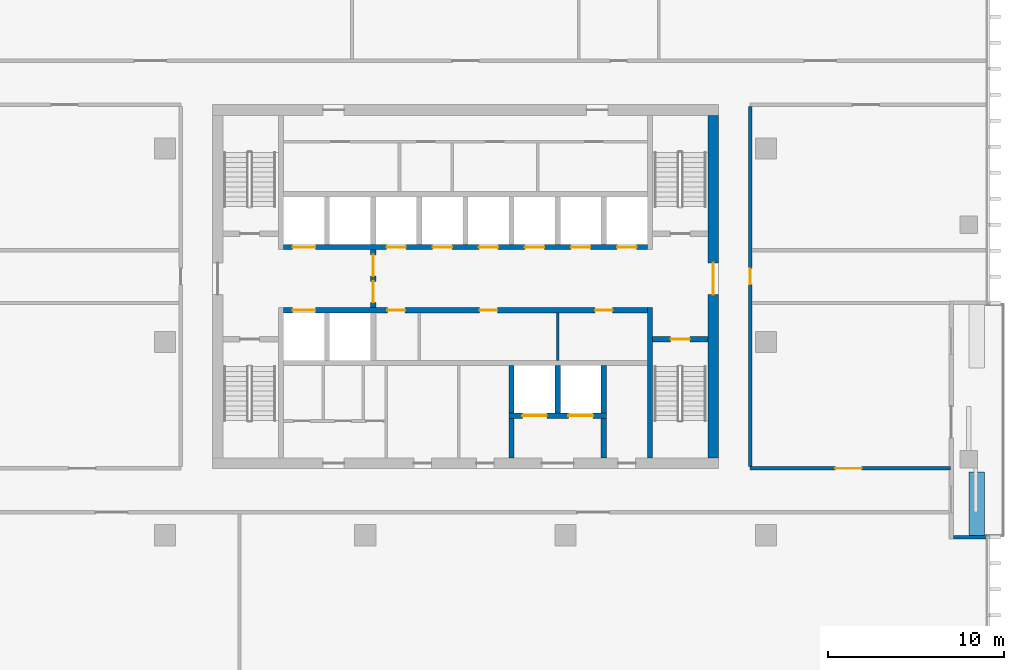
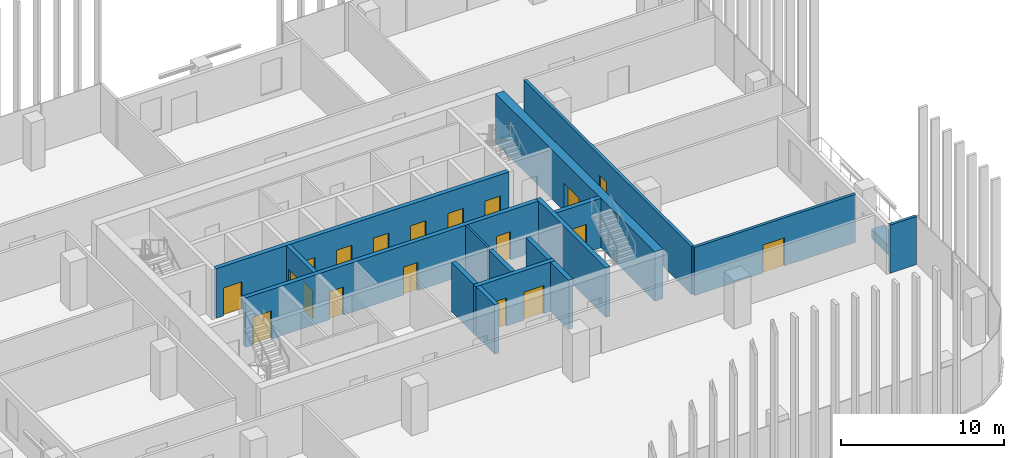
# One storey, part 8 of 16: 19 doors, 17 walls, 19 openings.
"""IFC4 building model written with IfcOpenShell, lengths in metres."""

from ifc_helpers import new_model, si_unit, direction, frame, frame_2d, origin, place, context, subcontext, project, spatial, rectangle, extrude, material, layer, layer_set, type_object, element, fill, save


model = new_model("IFC4")

# Units and contexts
model_context = context("Model", 3, precision=1e-05, world=origin(), true_north=direction((0.0, 1.0)))
body_context = subcontext(model_context, "Body", "Model", "MODEL_VIEW")
ifc_project = project(units=[si_unit("LENGTHUNIT", "METRE"), si_unit("AREAUNIT", "SQUARE_METRE"), si_unit("VOLUMEUNIT", "CUBIC_METRE"), si_unit("PLANEANGLEUNIT", "RADIAN"), si_unit("MASSUNIT", "GRAM", prefix="KILO")], contexts=[model_context])

# Site, building, storey
site_placement = place(None, origin())
site = spatial("IfcSite", under=ifc_project, at=site_placement, CompositionType="ELEMENT")
building_placement = place(site_placement, origin())
building = spatial("IfcBuilding", under=site, at=building_placement, Name="Mopane Tessera Tower", CompositionType="ELEMENT")
storey_placement = place(building_placement, frame((0.0, 0.0, 279.39990234375)))
storey = spatial("IfcBuildingStorey", under=building, at=storey_placement, Name="L60", CompositionType="ELEMENT", Elevation=279.39990234375)

# Wall
ifc_material_1 = material(Name="Fire-rated gypsum board partition")
ifc_layer_1 = layer(ifc_material_1, 0.14990234375)
ifc_layer_set_1 = layer_set([ifc_layer_1], Name="Fire-rated gypsum board partition")
wall_type_1 = type_object("IfcWallType", Name="Core room partition 150 mm", PredefinedType="PARTITIONING", material=ifc_layer_set_1)
wall_1_placement = place(storey_placement, frame((5.25, -1.050048828125, 0.0), z_axis=(0.0, 0.0, 1.0), x_axis=(0.0, 1.0, 0.0)))
element("IfcWall", 1, at=wall_1_placement, inside=storey, type_object=wall_type_1, Name="L60 Room partition", PredefinedType="PARTITIONING", context=body_context, shape_type="SweptSolid", body=[
    extrude(rectangle(XDim=2.699951171875, YDim=0.14990234375, at=frame_2d((1.35009765625, 0.0))), origin(), (0.0, 0.0, 1.0), 3.7001953125),
])

# Wall, opening, door
ifc_material_2 = material(Name="Concrete C70/85", Category="concrete")
ifc_layer_2 = layer(ifc_material_2, 0.60009765625)
ifc_layer_set_2 = layer_set([ifc_layer_2], Name="Concrete C70/85")
wall_type_2 = type_object("IfcWallType", Name="Core shear wall 600 mm", PredefinedType="SHEAR", material=ifc_layer_set_2)
wall_2_placement = place(storey_placement, frame((14.10009765625, -6.60009765625, 0.0), z_axis=(0.0, 0.0, 1.0), x_axis=(0.0, 1.0, 0.0)))
wall_2 = element("IfcWall", 2, at=wall_2_placement, inside=storey, type_object=wall_type_2, Name="L60 Core wall east", PredefinedType="SHEAR", context=body_context, shape_type="SweptSolid", body=[
    extrude(rectangle(XDim=19.5, YDim=0.60009765625, at=frame_2d((9.75, 0.0))), origin(), (0.0, 0.0, 1.0), 3.7001953125),
])
opening_1_placement = place(wall_2_placement, frame((9.300048828125, 0.0, 0.0)))
opening_1 = element("IfcOpeningElement", 3, at=opening_1_placement, cuts=wall_2, Name="Opening SD2", PredefinedType="OPENING", context=body_context, shape_type="SweptSolid", body=[
    extrude(rectangle(XDim=1.800048828125, YDim=2.10009765625, at=frame_2d((0.89990234375, 1.050048828125))), frame((0.0, 0.31201171875, 0.0), z_axis=(0.0, -1.0, 0.0), x_axis=(1.0, 0.0, 0.0)), (0.0, 0.0, 1.0), 0.6240234375),
])
ifc_material_3 = material(Name="Steel fire door", Category="steel")
door_type_1 = type_object("IfcDoorType", Name="Core entrance double door 1800 x 2100", OperationType="DOUBLE_DOOR_SINGLE_SWING", PredefinedType="DOOR", material=ifc_material_3)
door_1_placement = place(opening_1_placement, origin())
door_1 = element("IfcDoor", 4, at=door_1_placement, inside=storey, type_object=door_type_1, Name="L60 Core entrance door east", OperationType="DOUBLE_DOOR_SINGLE_SWING", OverallHeight=2.10009765625, OverallWidth=1.800048828125, PredefinedType="DOOR", context=body_context, shape_type="SweptSolid", body=[
    extrude(rectangle(XDim=1.800048828125, YDim=2.10009765625, at=frame_2d((0.89990234375, 1.050048828125))), frame((0.0, 0.02490234375, 0.0), z_axis=(0.0, -1.0, 0.0), x_axis=(1.0, 0.0, 0.0)), (0.0, 0.0, 1.0), 0.050048828125),
])
fill(opening_1, door_1)

# Wall
ifc_material_4 = material(Name="Concrete C60/75", Category="concrete")
ifc_layer_3 = layer(ifc_material_4, 0.300048828125)
ifc_layer_set_3 = layer_set([ifc_layer_3], Name="Concrete C60/75")
wall_type_3 = type_object("IfcWallType", Name="Core spine wall 300 mm", PredefinedType="SHEAR", material=ifc_layer_set_3)
wall_3_placement = place(storey_placement, frame((10.5, -6.60009765625, 0.0), z_axis=(0.0, 0.0, 1.0), x_axis=(0.0, 1.0, 0.0)))
element("IfcWall", 5, at=wall_3_placement, inside=storey, type_object=wall_type_3, Name="L60 Core spine wall", PredefinedType="SHEAR", context=body_context, shape_type="SweptSolid", body=[
    extrude(rectangle(XDim=8.550048828125, YDim=0.300048828125, at=frame_2d((4.27490234375, 0.0))), origin(), (0.0, 0.0, 1.0), 3.7001953125),
])

# Wall, opening, door
ifc_material_5 = material(Name="Gypsum board on steel studs, two layers each face, mineral wool infill", Category="steel")
ifc_layer_4 = layer(ifc_material_5, 0.199951171875)
ifc_layer_set_4 = layer_set([ifc_layer_4], Name="Gypsum board on steel studs, two layers each face, mineral wool infill")
wall_type_4 = type_object("IfcWallType", Name="Gypsum board corridor wall 200, rated EI 60", PredefinedType="PARTITIONING", material=ifc_layer_set_4)
wall_4_placement = place(storey_placement, frame((16.199951171875, -7.199951171875, 0.0), z_axis=(0.0, 0.0, 1.0), x_axis=(1.0, 0.0, 0.0)))
wall_4 = element("IfcWall", 6, at=wall_4_placement, inside=storey, type_object=wall_type_4, Name="Partition L60:002", PredefinedType="PARTITIONING", context=body_context, shape_type="SweptSolid", body=[
    extrude(rectangle(XDim=11.400146484375, YDim=0.199951171875, at=frame_2d((5.7001953125, 0.0))), origin(), (0.0, 0.0, 1.0), 3.60009765625),
])
opening_2_placement = place(wall_4_placement, frame((4.85009765625, 0.0, 0.0)))
opening_2 = element("IfcOpeningElement", 7, at=opening_2_placement, cuts=wall_4, Name="Opening L60-12", PredefinedType="OPENING", context=body_context, shape_type="SweptSolid", body=[
    extrude(rectangle(XDim=1.5, YDim=2.10009765625, at=frame_2d((0.75, 1.050048828125))), frame((0.0, 0.112060546875, 0.0), z_axis=(0.0, -1.0, 0.0), x_axis=(1.0, 0.0, 0.0)), (0.0, 0.0, 1.0), 0.223876953125),
])
ifc_material_6 = material(Name="Timber veneered steel-framed fire door", Category="steel")
door_type_2 = type_object("IfcDoorType", Name="Fire door pair FD60 1500 x 2100", OperationType="DOUBLE_DOOR_SINGLE_SWING", PredefinedType="DOOR", material=ifc_material_6)
door_2_placement = place(opening_2_placement, origin())
door_2 = element("IfcDoor", 8, at=door_2_placement, inside=storey, type_object=door_type_2, Name="Door L60-12", ObjectType="D17A", OperationType="DOUBLE_DOOR_SINGLE_SWING", OverallHeight=2.10009765625, OverallWidth=1.5, PredefinedType="DOOR", context=body_context, shape_type="SweptSolid", body=[
    extrude(rectangle(XDim=1.5, YDim=2.10009765625, at=frame_2d((0.75, 1.050048828125))), frame((0.0, 0.02490234375, 0.0), z_axis=(0.0, -1.0, 0.0), x_axis=(1.0, 0.0, 0.0)), (0.0, 0.0, 1.0), 0.050048828125),
])
fill(opening_2, door_2)

wall_5_placement = place(storey_placement, frame((16.199951171875, -7.10009765625, 0.0), z_axis=(0.0, 0.0, 1.0), x_axis=(0.0, 1.0, 0.0)))
wall_5 = element("IfcWall", 9, at=wall_5_placement, inside=storey, type_object=wall_type_4, Name="Partition L60:015", PredefinedType="PARTITIONING", context=body_context, shape_type="SweptSolid", body=[
    extrude(rectangle(XDim=20.5, YDim=0.199951171875, at=frame_2d((10.25, 0.0))), origin(), (0.0, 0.0, 1.0), 3.60009765625),
])
opening_3_placement = place(wall_5_placement, frame((10.3701171875, 0.0, 0.0)))
opening_3 = element("IfcOpeningElement", 10, at=opening_3_placement, cuts=wall_5, Name="Opening L60-09", PredefinedType="OPENING", context=body_context, shape_type="SweptSolid", body=[
    extrude(rectangle(XDim=0.89990234375, YDim=2.10009765625, at=frame_2d((0.449951171875, 1.050048828125))), frame((0.0, 0.112060546875, 0.0), z_axis=(0.0, -1.0, 0.0), x_axis=(1.0, 0.0, 0.0)), (0.0, 0.0, 1.0), 0.223876953125),
])
ifc_material_7 = material(Name="Timber veneered steel-framed fire door", Category="steel")
door_type_3 = type_object("IfcDoorType", Name="Fire door FD60 900 x 2100", OperationType="SINGLE_SWING_LEFT", PredefinedType="DOOR", material=ifc_material_7)
door_3_placement = place(opening_3_placement, origin())
door_3 = element("IfcDoor", 11, at=door_3_placement, inside=storey, type_object=door_type_3, Name="Door L60-09", ObjectType="D10A", OperationType="SINGLE_SWING_LEFT", OverallHeight=2.10009765625, OverallWidth=0.89990234375, PredefinedType="DOOR", context=body_context, shape_type="SweptSolid", body=[
    extrude(rectangle(XDim=0.89990234375, YDim=2.10009765625, at=frame_2d((0.449951171875, 1.050048828125))), frame((0.0, 0.02490234375, 0.0), z_axis=(0.0, -1.0, 0.0), x_axis=(1.0, 0.0, 0.0)), (0.0, 0.0, 1.0), 0.050048828125),
])
fill(opening_3, door_3)

ifc_material_8 = material(Name="Concrete C50/60", Category="concrete")
ifc_layer_5 = layer(ifc_material_8, 0.300048828125)
ifc_layer_set_5 = layer_set([ifc_layer_5], Name="Concrete C50/60")
wall_type_5 = type_object("IfcWallType", Name="Lift and stair shaft wall 300 mm", PredefinedType="SOLIDWALL", material=ifc_layer_set_5)
wall_6_placement = place(storey_placement, frame((10.64990234375, 0.14990234375, 0.0), z_axis=(0.0, 0.0, 1.0), x_axis=(1.0, 0.0, 0.0)))
wall_6 = element("IfcWall", 12, at=wall_6_placement, inside=storey, type_object=wall_type_5, Name="L60 Stair enclosure wall", PredefinedType="SOLIDWALL", context=body_context, shape_type="SweptSolid", body=[
    extrude(rectangle(XDim=3.150146484375, YDim=0.300048828125, at=frame_2d((1.5751953125, 0.0))), origin(), (0.0, 0.0, 1.0), 3.7001953125),
])
opening_4_placement = place(wall_6_placement, frame((1.02490234375, 0.0, 0.0)))
opening_4 = element("IfcOpeningElement", 13, at=opening_4_placement, cuts=wall_6, Name="Opening SD1", PredefinedType="OPENING", context=body_context, shape_type="SweptSolid", body=[
    extrude(rectangle(XDim=1.10009765625, YDim=2.10009765625, at=frame_2d((0.550048828125, 1.050048828125))), frame((0.0, 0.162109375, 0.0), z_axis=(0.0, -1.0, 0.0), x_axis=(1.0, 0.0, 0.0)), (0.0, 0.0, 1.0), 0.323974609375),
])
ifc_material_9 = material(Name="Steel fire door", Category="steel")
door_type_4 = type_object("IfcDoorType", Name="Stair fire door 1100 x 2100", OperationType="SINGLE_SWING_LEFT", PredefinedType="DOOR", material=ifc_material_9)
door_4_placement = place(opening_4_placement, origin())
door_4 = element("IfcDoor", 14, at=door_4_placement, inside=storey, type_object=door_type_4, Name="L60 Stair door ST3", OperationType="SINGLE_SWING_RIGHT", OverallHeight=2.10009765625, OverallWidth=1.10009765625, PredefinedType="DOOR", context=body_context, shape_type="SweptSolid", body=[
    extrude(rectangle(XDim=1.10009765625, YDim=2.10009765625, at=frame_2d((0.550048828125, 1.050048828125))), frame((0.0, 0.02490234375, 0.0), z_axis=(0.0, -1.0, 0.0), x_axis=(1.0, 0.0, 0.0)), (0.0, 0.0, 1.0), 0.050048828125),
])
fill(opening_4, door_4)

# Wall, openings, doors
wall_7_placement = place(storey_placement, frame((-10.35009765625, 1.800048828125, 0.0), z_axis=(0.0, 0.0, 1.0), x_axis=(1.0, 0.0, 0.0)))
wall_7 = element("IfcWall", 15, at=wall_7_placement, inside=storey, type_object=wall_type_5, Name="L60 Lift shaft front wall", PredefinedType="SOLIDWALL", context=body_context, shape_type="SweptSolid", body=[
    extrude(rectangle(XDim=20.7001953125, YDim=0.300048828125, at=frame_2d((10.35009765625, 0.0))), origin(), (0.0, 0.0, 1.0), 3.7001953125),
])
opening_5_placement = place(wall_7_placement, frame((0.512451171875, 0.0, 0.0)))
opening_5 = element("IfcOpeningElement", 16, at=opening_5_placement, cuts=wall_7, Name="Opening LD2", PredefinedType="OPENING", context=body_context, shape_type="SweptSolid", body=[
    extrude(rectangle(XDim=1.300048828125, YDim=2.10009765625, at=frame_2d((0.64990234375, 1.050048828125))), frame((0.0, 0.162109375, 0.0), z_axis=(0.0, -1.0, 0.0), x_axis=(1.0, 0.0, 0.0)), (0.0, 0.0, 1.0), 0.323974609375),
])
opening_6_placement = place(wall_7_placement, frame((5.91259765625, 0.0, 0.0)))
opening_6 = element("IfcOpeningElement", 17, at=opening_6_placement, cuts=wall_7, Name="Opening RD1", PredefinedType="OPENING", context=body_context, shape_type="SweptSolid", body=[
    extrude(rectangle(XDim=1.0, YDim=2.10009765625, at=frame_2d((0.5, 1.050048828125))), frame((0.0, 0.162109375, 0.0), z_axis=(0.0, -1.0, 0.0), x_axis=(1.0, 0.0, 0.0)), (0.0, 0.0, 1.0), 0.323974609375),
])
opening_7_placement = place(wall_7_placement, frame((11.16259765625, 0.0, 0.0)))
opening_7 = element("IfcOpeningElement", 18, at=opening_7_placement, cuts=wall_7, Name="Opening RD1", PredefinedType="OPENING", context=body_context, shape_type="SweptSolid", body=[
    extrude(rectangle(XDim=1.0, YDim=2.10009765625, at=frame_2d((0.5, 1.050048828125))), frame((0.0, 0.162109375, 0.0), z_axis=(0.0, -1.0, 0.0), x_axis=(1.0, 0.0, 0.0)), (0.0, 0.0, 1.0), 0.323974609375),
])
opening_8_placement = place(wall_7_placement, frame((17.72509765625, 0.0, 0.0)))
opening_8 = element("IfcOpeningElement", 19, at=opening_8_placement, cuts=wall_7, Name="Opening RD1", PredefinedType="OPENING", context=body_context, shape_type="SweptSolid", body=[
    extrude(rectangle(XDim=1.0, YDim=2.10009765625, at=frame_2d((0.5, 1.050048828125))), frame((0.0, 0.162109375, 0.0), z_axis=(0.0, -1.0, 0.0), x_axis=(1.0, 0.0, 0.0)), (0.0, 0.0, 1.0), 0.323974609375),
])
ifc_material_10 = material(Name="Timber door", Category="wood")
door_type_5 = type_object("IfcDoorType", Name="Core room door 1000 x 2100", OperationType="SINGLE_SWING_LEFT", PredefinedType="DOOR", material=ifc_material_10)
door_5_placement = place(opening_6_placement, origin())
door_5 = element("IfcDoor", 20, at=door_5_placement, inside=storey, type_object=door_type_5, Name="L60 Room door", OperationType="SINGLE_SWING_LEFT", OverallHeight=2.10009765625, OverallWidth=1.0, PredefinedType="DOOR", context=body_context, shape_type="SweptSolid", body=[
    extrude(rectangle(XDim=1.0, YDim=2.10009765625, at=frame_2d((0.5, 1.050048828125))), frame((0.0, 0.02490234375, 0.0), z_axis=(0.0, -1.0, 0.0), x_axis=(1.0, 0.0, 0.0)), (0.0, 0.0, 1.0), 0.050048828125),
])
fill(opening_6, door_5)
door_6_placement = place(opening_7_placement, origin())
door_6 = element("IfcDoor", 21, at=door_6_placement, inside=storey, type_object=door_type_5, Name="L60 Room door", OperationType="SINGLE_SWING_LEFT", OverallHeight=2.10009765625, OverallWidth=1.0, PredefinedType="DOOR", context=body_context, shape_type="SweptSolid", body=[
    extrude(rectangle(XDim=1.0, YDim=2.10009765625, at=frame_2d((0.5, 1.050048828125))), frame((0.0, 0.02490234375, 0.0), z_axis=(0.0, -1.0, 0.0), x_axis=(1.0, 0.0, 0.0)), (0.0, 0.0, 1.0), 0.050048828125),
])
fill(opening_7, door_6)
door_7_placement = place(opening_8_placement, origin())
door_7 = element("IfcDoor", 22, at=door_7_placement, inside=storey, type_object=door_type_5, Name="L60 Room door", OperationType="SINGLE_SWING_LEFT", OverallHeight=2.10009765625, OverallWidth=1.0, PredefinedType="DOOR", context=body_context, shape_type="SweptSolid", body=[
    extrude(rectangle(XDim=1.0, YDim=2.10009765625, at=frame_2d((0.5, 1.050048828125))), frame((0.0, 0.02490234375, 0.0), z_axis=(0.0, -1.0, 0.0), x_axis=(1.0, 0.0, 0.0)), (0.0, 0.0, 1.0), 0.050048828125),
])
fill(opening_8, door_7)
ifc_material_11 = material(Name="Stainless steel sliding door", Category="steel")
door_type_6 = type_object("IfcDoorType", Name="Fire-fighting lift landing door 1300 x 2100", OperationType="DOUBLE_DOOR_SLIDING", PredefinedType="DOOR", material=ifc_material_11)
door_8_placement = place(opening_5_placement, origin())
door_8 = element("IfcDoor", 23, at=door_8_placement, inside=storey, type_object=door_type_6, Name="L60 Lift landing door FF1", OperationType="DOUBLE_DOOR_SLIDING", OverallHeight=2.10009765625, OverallWidth=1.300048828125, PredefinedType="DOOR", context=body_context, shape_type="SweptSolid", body=[
    extrude(rectangle(XDim=1.300048828125, YDim=2.10009765625, at=frame_2d((0.64990234375, 1.050048828125))), frame((0.0, 0.02490234375, 0.0), z_axis=(0.0, -1.0, 0.0), x_axis=(1.0, 0.0, 0.0)), (0.0, 0.0, 1.0), 0.050048828125),
])
fill(opening_5, door_8)

wall_8_placement = place(storey_placement, frame((-10.35009765625, 5.39990234375, 0.0), z_axis=(0.0, 0.0, 1.0), x_axis=(1.0, 0.0, 0.0)))
wall_8 = element("IfcWall", 24, at=wall_8_placement, inside=storey, type_object=wall_type_5, Name="L60 Lift shaft front wall", PredefinedType="SOLIDWALL", context=body_context, shape_type="SweptSolid", body=[
    extrude(rectangle(XDim=20.7001953125, YDim=0.300048828125, at=frame_2d((10.35009765625, 0.0))), origin(), (0.0, 0.0, 1.0), 3.7001953125),
])
opening_9_placement = place(wall_8_placement, frame((0.512451171875, 0.0, 0.0)))
opening_9 = element("IfcOpeningElement", 25, at=opening_9_placement, cuts=wall_8, Name="Opening LD2", PredefinedType="OPENING", context=body_context, shape_type="SweptSolid", body=[
    extrude(rectangle(XDim=1.300048828125, YDim=2.10009765625, at=frame_2d((0.64990234375, 1.050048828125))), frame((0.0, 0.162109375, 0.0), z_axis=(0.0, -1.0, 0.0), x_axis=(1.0, 0.0, 0.0)), (0.0, 0.0, 1.0), 0.323974609375),
])
opening_10_placement = place(wall_8_placement, frame((5.862548828125, 0.0, 0.0)))
opening_10 = element("IfcOpeningElement", 26, at=opening_10_placement, cuts=wall_8, Name="Opening LD", PredefinedType="OPENING", context=body_context, shape_type="SweptSolid", body=[
    extrude(rectangle(XDim=1.10009765625, YDim=2.10009765625, at=frame_2d((0.550048828125, 1.050048828125))), frame((0.0, 0.162109375, 0.0), z_axis=(0.0, -1.0, 0.0), x_axis=(1.0, 0.0, 0.0)), (0.0, 0.0, 1.0), 0.323974609375),
])
opening_11_placement = place(wall_8_placement, frame((8.487548828125, 0.0, 0.0)))
opening_11 = element("IfcOpeningElement", 27, at=opening_11_placement, cuts=wall_8, Name="Opening LD", PredefinedType="OPENING", context=body_context, shape_type="SweptSolid", body=[
    extrude(rectangle(XDim=1.10009765625, YDim=2.10009765625, at=frame_2d((0.550048828125, 1.050048828125))), frame((0.0, 0.162109375, 0.0), z_axis=(0.0, -1.0, 0.0), x_axis=(1.0, 0.0, 0.0)), (0.0, 0.0, 1.0), 0.323974609375),
])
opening_12_placement = place(wall_8_placement, frame((11.112548828125, 0.0, 0.0)))
opening_12 = element("IfcOpeningElement", 28, at=opening_12_placement, cuts=wall_8, Name="Opening LD", PredefinedType="OPENING", context=body_context, shape_type="SweptSolid", body=[
    extrude(rectangle(XDim=1.10009765625, YDim=2.10009765625, at=frame_2d((0.550048828125, 1.050048828125))), frame((0.0, 0.162109375, 0.0), z_axis=(0.0, -1.0, 0.0), x_axis=(1.0, 0.0, 0.0)), (0.0, 0.0, 1.0), 0.323974609375),
])
opening_13_placement = place(wall_8_placement, frame((13.737548828125, 0.0, 0.0)))
opening_13 = element("IfcOpeningElement", 29, at=opening_13_placement, cuts=wall_8, Name="Opening LD", PredefinedType="OPENING", context=body_context, shape_type="SweptSolid", body=[
    extrude(rectangle(XDim=1.10009765625, YDim=2.10009765625, at=frame_2d((0.550048828125, 1.050048828125))), frame((0.0, 0.162109375, 0.0), z_axis=(0.0, -1.0, 0.0), x_axis=(1.0, 0.0, 0.0)), (0.0, 0.0, 1.0), 0.323974609375),
])
opening_14_placement = place(wall_8_placement, frame((16.362548828125, 0.0, 0.0)))
opening_14 = element("IfcOpeningElement", 30, at=opening_14_placement, cuts=wall_8, Name="Opening LD", PredefinedType="OPENING", context=body_context, shape_type="SweptSolid", body=[
    extrude(rectangle(XDim=1.10009765625, YDim=2.10009765625, at=frame_2d((0.550048828125, 1.050048828125))), frame((0.0, 0.162109375, 0.0), z_axis=(0.0, -1.0, 0.0), x_axis=(1.0, 0.0, 0.0)), (0.0, 0.0, 1.0), 0.323974609375),
])
opening_15_placement = place(wall_8_placement, frame((18.987548828125, 0.0, 0.0)))
opening_15 = element("IfcOpeningElement", 31, at=opening_15_placement, cuts=wall_8, Name="Opening LD", PredefinedType="OPENING", context=body_context, shape_type="SweptSolid", body=[
    extrude(rectangle(XDim=1.10009765625, YDim=2.10009765625, at=frame_2d((0.550048828125, 1.050048828125))), frame((0.0, 0.162109375, 0.0), z_axis=(0.0, -1.0, 0.0), x_axis=(1.0, 0.0, 0.0)), (0.0, 0.0, 1.0), 0.323974609375),
])
door_9_placement = place(opening_9_placement, origin())
door_9 = element("IfcDoor", 32, at=door_9_placement, inside=storey, type_object=door_type_6, Name="L60 Lift landing door FF2", OperationType="DOUBLE_DOOR_SLIDING", OverallHeight=2.10009765625, OverallWidth=1.300048828125, PredefinedType="DOOR", context=body_context, shape_type="SweptSolid", body=[
    extrude(rectangle(XDim=1.300048828125, YDim=2.10009765625, at=frame_2d((0.64990234375, 1.050048828125))), frame((0.0, 0.02490234375, 0.0), z_axis=(0.0, -1.0, 0.0), x_axis=(1.0, 0.0, 0.0)), (0.0, 0.0, 1.0), 0.050048828125),
])
fill(opening_9, door_9)
ifc_material_12 = material(Name="Stainless steel sliding door", Category="steel")
door_type_7 = type_object("IfcDoorType", Name="Lift landing door 1100 x 2100", OperationType="DOUBLE_DOOR_SLIDING", PredefinedType="DOOR", material=ifc_material_12)
door_10_placement = place(opening_10_placement, origin())
door_10 = element("IfcDoor", 33, at=door_10_placement, inside=storey, type_object=door_type_7, Name="L60 Lift landing door HR1", OperationType="DOUBLE_DOOR_SLIDING", OverallHeight=2.10009765625, OverallWidth=1.10009765625, PredefinedType="DOOR", context=body_context, shape_type="SweptSolid", body=[
    extrude(rectangle(XDim=1.10009765625, YDim=2.10009765625, at=frame_2d((0.550048828125, 1.050048828125))), frame((0.0, 0.02490234375, 0.0), z_axis=(0.0, -1.0, 0.0), x_axis=(1.0, 0.0, 0.0)), (0.0, 0.0, 1.0), 0.050048828125),
])
fill(opening_10, door_10)
door_11_placement = place(opening_11_placement, origin())
door_11 = element("IfcDoor", 34, at=door_11_placement, inside=storey, type_object=door_type_7, Name="L60 Lift landing door HR2", OperationType="DOUBLE_DOOR_SLIDING", OverallHeight=2.10009765625, OverallWidth=1.10009765625, PredefinedType="DOOR", context=body_context, shape_type="SweptSolid", body=[
    extrude(rectangle(XDim=1.10009765625, YDim=2.10009765625, at=frame_2d((0.550048828125, 1.050048828125))), frame((0.0, 0.02490234375, 0.0), z_axis=(0.0, -1.0, 0.0), x_axis=(1.0, 0.0, 0.0)), (0.0, 0.0, 1.0), 0.050048828125),
])
fill(opening_11, door_11)
door_12_placement = place(opening_12_placement, origin())
door_12 = element("IfcDoor", 35, at=door_12_placement, inside=storey, type_object=door_type_7, Name="L60 Lift landing door HR3", OperationType="DOUBLE_DOOR_SLIDING", OverallHeight=2.10009765625, OverallWidth=1.10009765625, PredefinedType="DOOR", context=body_context, shape_type="SweptSolid", body=[
    extrude(rectangle(XDim=1.10009765625, YDim=2.10009765625, at=frame_2d((0.550048828125, 1.050048828125))), frame((0.0, 0.02490234375, 0.0), z_axis=(0.0, -1.0, 0.0), x_axis=(1.0, 0.0, 0.0)), (0.0, 0.0, 1.0), 0.050048828125),
])
fill(opening_12, door_12)
door_13_placement = place(opening_13_placement, origin())
door_13 = element("IfcDoor", 36, at=door_13_placement, inside=storey, type_object=door_type_7, Name="L60 Lift landing door HR4", OperationType="DOUBLE_DOOR_SLIDING", OverallHeight=2.10009765625, OverallWidth=1.10009765625, PredefinedType="DOOR", context=body_context, shape_type="SweptSolid", body=[
    extrude(rectangle(XDim=1.10009765625, YDim=2.10009765625, at=frame_2d((0.550048828125, 1.050048828125))), frame((0.0, 0.02490234375, 0.0), z_axis=(0.0, -1.0, 0.0), x_axis=(1.0, 0.0, 0.0)), (0.0, 0.0, 1.0), 0.050048828125),
])
fill(opening_13, door_13)
door_14_placement = place(opening_14_placement, origin())
door_14 = element("IfcDoor", 37, at=door_14_placement, inside=storey, type_object=door_type_7, Name="L60 Lift landing door HR5", OperationType="DOUBLE_DOOR_SLIDING", OverallHeight=2.10009765625, OverallWidth=1.10009765625, PredefinedType="DOOR", context=body_context, shape_type="SweptSolid", body=[
    extrude(rectangle(XDim=1.10009765625, YDim=2.10009765625, at=frame_2d((0.550048828125, 1.050048828125))), frame((0.0, 0.02490234375, 0.0), z_axis=(0.0, -1.0, 0.0), x_axis=(1.0, 0.0, 0.0)), (0.0, 0.0, 1.0), 0.050048828125),
])
fill(opening_14, door_14)
door_15_placement = place(opening_15_placement, origin())
door_15 = element("IfcDoor", 38, at=door_15_placement, inside=storey, type_object=door_type_7, Name="L60 Lift landing door HR6", OperationType="DOUBLE_DOOR_SLIDING", OverallHeight=2.10009765625, OverallWidth=1.10009765625, PredefinedType="DOOR", context=body_context, shape_type="SweptSolid", body=[
    extrude(rectangle(XDim=1.10009765625, YDim=2.10009765625, at=frame_2d((0.550048828125, 1.050048828125))), frame((0.0, 0.02490234375, 0.0), z_axis=(0.0, -1.0, 0.0), x_axis=(1.0, 0.0, 0.0)), (0.0, 0.0, 1.0), 0.050048828125),
])
fill(opening_15, door_15)

wall_9_placement = place(storey_placement, frame((2.47509765625, -4.199951171875, 0.0), z_axis=(0.0, 0.0, 1.0), x_axis=(1.0, 0.0, 0.0)))
wall_9 = element("IfcWall", 39, at=wall_9_placement, inside=storey, type_object=wall_type_5, Name="L60 Lift shaft front wall", PredefinedType="SOLIDWALL", context=body_context, shape_type="SweptSolid", body=[
    extrude(rectangle(XDim=5.5498046875, YDim=0.300048828125, at=frame_2d((2.77490234375, 0.0))), origin(), (0.0, 0.0, 1.0), 3.7001953125),
])
opening_16_placement = place(wall_9_placement, frame((0.762451171875, 0.0, 0.0)))
opening_16 = element("IfcOpeningElement", 40, at=opening_16_placement, cuts=wall_9, Name="Opening LD3", PredefinedType="OPENING", context=body_context, shape_type="SweptSolid", body=[
    extrude(rectangle(XDim=1.39990234375, YDim=2.10009765625, at=frame_2d((0.699951171875, 1.050048828125))), frame((0.0, 0.162109375, 0.0), z_axis=(0.0, -1.0, 0.0), x_axis=(1.0, 0.0, 0.0)), (0.0, 0.0, 1.0), 0.323974609375),
])
opening_17_placement = place(wall_9_placement, frame((3.387451171875, 0.0, 0.0)))
opening_17 = element("IfcOpeningElement", 41, at=opening_17_placement, cuts=wall_9, Name="Opening LD3", PredefinedType="OPENING", context=body_context, shape_type="SweptSolid", body=[
    extrude(rectangle(XDim=1.39990234375, YDim=2.10009765625, at=frame_2d((0.699951171875, 1.050048828125))), frame((0.0, 0.162109375, 0.0), z_axis=(0.0, -1.0, 0.0), x_axis=(1.0, 0.0, 0.0)), (0.0, 0.0, 1.0), 0.323974609375),
])
ifc_material_13 = material(Name="Stainless steel sliding door", Category="steel")
door_type_8 = type_object("IfcDoorType", Name="Service lift landing door 1400 x 2100", OperationType="DOUBLE_DOOR_SLIDING", PredefinedType="DOOR", material=ifc_material_13)
door_16_placement = place(opening_16_placement, origin())
door_16 = element("IfcDoor", 42, at=door_16_placement, inside=storey, type_object=door_type_8, Name="L60 Lift landing door SV1", OperationType="DOUBLE_DOOR_SLIDING", OverallHeight=2.10009765625, OverallWidth=1.39990234375, PredefinedType="DOOR", context=body_context, shape_type="SweptSolid", body=[
    extrude(rectangle(XDim=1.39990234375, YDim=2.10009765625, at=frame_2d((0.699951171875, 1.050048828125))), frame((0.0, 0.02490234375, 0.0), z_axis=(0.0, -1.0, 0.0), x_axis=(1.0, 0.0, 0.0)), (0.0, 0.0, 1.0), 0.050048828125),
])
fill(opening_16, door_16)
door_17_placement = place(opening_17_placement, origin())
door_17 = element("IfcDoor", 43, at=door_17_placement, inside=storey, type_object=door_type_8, Name="L60 Lift landing door SV2", OperationType="DOUBLE_DOOR_SLIDING", OverallHeight=2.10009765625, OverallWidth=1.39990234375, PredefinedType="DOOR", context=body_context, shape_type="SweptSolid", body=[
    extrude(rectangle(XDim=1.39990234375, YDim=2.10009765625, at=frame_2d((0.699951171875, 1.050048828125))), frame((0.0, 0.02490234375, 0.0), z_axis=(0.0, -1.0, 0.0), x_axis=(1.0, 0.0, 0.0)), (0.0, 0.0, 1.0), 0.050048828125),
])
fill(opening_17, door_17)

# Walls
for number, where, z_axis, x_axis, name in (
    (44, (2.625, -4.050048828125, 0.0), (0.0, 0.0, 1.0), (0.0, 1.0, 0.0), "L60 Lift shaft wall"),
    (45, (5.25, -4.050048828125, 0.0), (0.0, 0.0, 1.0), (0.0, 1.0, 0.0), "L60 Lift shaft wall"),
    (46, (7.875, -4.050048828125, 0.0), (0.0, 0.0, 1.0), (0.0, 1.0, 0.0), "L60 Lift shaft wall"),
):
    element("IfcWall", number, at=place(storey_placement, frame(where, z_axis=z_axis, x_axis=x_axis)), inside=storey, type_object=wall_type_5, Name=name, PredefinedType="SOLIDWALL", context=body_context, shape_type="SweptSolid", body=[
        extrude(rectangle(XDim=2.699951171875, YDim=0.300048828125, at=frame_2d((1.35009765625, 0.0))), origin(), (0.0, 0.0, 1.0), 3.7001953125),
    ])

# Wall, openings, doors
ifc_material_14 = material(Name="Concrete C50/60", Category="concrete")
ifc_layer_6 = layer(ifc_material_14, 0.300048828125)
ifc_layer_set_6 = layer_set([ifc_layer_6], Name="Concrete C50/60")
wall_type_6 = type_object("IfcWallType", Name="Lobby and refuge room wall 300 mm", PredefinedType="SOLIDWALL", material=ifc_layer_set_6)
wall_10_placement = place(storey_placement, frame((-5.25, 1.949951171875, 0.0), z_axis=(0.0, 0.0, 1.0), x_axis=(0.0, 1.0, 0.0)))
wall_10 = element("IfcWall", 47, at=wall_10_placement, inside=storey, type_object=wall_type_6, Name="L60 Fire-fighting lobby wall", PredefinedType="SOLIDWALL", context=body_context, shape_type="SweptSolid", body=[
    extrude(rectangle(XDim=3.300048828125, YDim=0.300048828125, at=frame_2d((1.64990234375, 0.0))), origin(), (0.0, 0.0, 1.0), 3.7001953125),
])
opening_18_placement = place(wall_10_placement, frame((0.300048828125, 0.0, 0.0)))
opening_18 = element("IfcOpeningElement", 48, at=opening_18_placement, cuts=wall_10, Name="Opening SD3", PredefinedType="OPENING", context=body_context, shape_type="SweptSolid", body=[
    extrude(rectangle(XDim=1.199951171875, YDim=2.10009765625, at=frame_2d((0.60009765625, 1.050048828125))), frame((0.0, 0.162109375, 0.0), z_axis=(0.0, -1.0, 0.0), x_axis=(1.0, 0.0, 0.0)), (0.0, 0.0, 1.0), 0.323974609375),
])
opening_19_placement = place(wall_10_placement, frame((1.800048828125, 0.0, 0.0)))
opening_19 = element("IfcOpeningElement", 49, at=opening_19_placement, cuts=wall_10, Name="Opening SD3", PredefinedType="OPENING", context=body_context, shape_type="SweptSolid", body=[
    extrude(rectangle(XDim=1.199951171875, YDim=2.10009765625, at=frame_2d((0.60009765625, 1.050048828125))), frame((0.0, 0.162109375, 0.0), z_axis=(0.0, -1.0, 0.0), x_axis=(1.0, 0.0, 0.0)), (0.0, 0.0, 1.0), 0.323974609375),
])
ifc_material_15 = material(Name="Steel fire door", Category="steel")
door_type_9 = type_object("IfcDoorType", Name="Lobby fire door 1200 x 2100", OperationType="SINGLE_SWING_LEFT", PredefinedType="DOOR", material=ifc_material_15)
door_18_placement = place(opening_18_placement, origin())
door_18 = element("IfcDoor", 50, at=door_18_placement, inside=storey, type_object=door_type_9, Name="L60 Fire-fighting lobby door", OperationType="SINGLE_SWING_LEFT", OverallHeight=2.10009765625, OverallWidth=1.199951171875, PredefinedType="DOOR", context=body_context, shape_type="SweptSolid", body=[
    extrude(rectangle(XDim=1.199951171875, YDim=2.10009765625, at=frame_2d((0.60009765625, 1.050048828125))), frame((0.0, 0.02490234375, 0.0), z_axis=(0.0, -1.0, 0.0), x_axis=(1.0, 0.0, 0.0)), (0.0, 0.0, 1.0), 0.050048828125),
])
fill(opening_18, door_18)
door_19_placement = place(opening_19_placement, origin())
door_19 = element("IfcDoor", 51, at=door_19_placement, inside=storey, type_object=door_type_9, Name="L60 Fire-fighting lobby door", OperationType="SINGLE_SWING_RIGHT", OverallHeight=2.10009765625, OverallWidth=1.199951171875, PredefinedType="DOOR", context=body_context, shape_type="SweptSolid", body=[
    extrude(rectangle(XDim=1.199951171875, YDim=2.10009765625, at=frame_2d((0.60009765625, 1.050048828125))), frame((0.0, 0.02490234375, 0.0), z_axis=(0.0, -1.0, 0.0), x_axis=(1.0, 0.0, 0.0)), (0.0, 0.0, 1.0), 0.050048828125),
])
fill(opening_19, door_19)

# Walls
for number, where, z_axis, x_axis, name in (
    (52, (2.625, -6.60009765625, 0.0), (0.0, 0.0, 1.0), (0.0, 1.0, 0.0), "L60 Service lobby wall"),
    (53, (7.875, -6.60009765625, 0.0), (0.0, 0.0, 1.0), (0.0, 1.0, 0.0), "L60 Service lobby wall"),
):
    element("IfcWall", number, at=place(storey_placement, frame(where, z_axis=z_axis, x_axis=x_axis)), inside=storey, type_object=wall_type_6, Name=name, PredefinedType="SOLIDWALL", context=body_context, shape_type="SweptSolid", body=[
        extrude(rectangle(XDim=2.25, YDim=0.300048828125, at=frame_2d((1.125, 0.0))), origin(), (0.0, 0.0, 1.0), 3.7001953125),
    ])
ifc_material_16 = material(Name="Reinforced concrete C32/40 with waterproofing", Category="concrete")
ifc_layer_7 = layer(ifc_material_16, 0.89990234375)
ifc_layer_set_7 = layer_set([ifc_layer_7], Name="Reinforced concrete C32/40 with waterproofing")
wall_type_7 = type_object("IfcWallType", Name="Planter trough 3600 x 900", PredefinedType="STANDARD", material=ifc_layer_set_7)
wall_11_placement = place(storey_placement, frame((29.10009765625, -11.01123046875, 0.0), z_axis=(0.0, 0.0, 1.0), x_axis=(0.0, 1.0, 0.0)))
element("IfcWall", 54, at=wall_11_placement, inside=storey, type_object=wall_type_7, Name="e:nw:L60:N1:pl0", PredefinedType="STANDARD", context=body_context, shape_type="SweptSolid", body=[
    extrude(rectangle(XDim=3.60009765625, YDim=0.89990234375, at=frame_2d((1.800048828125, 0.0))), origin(), (0.0, 0.0, 1.0), 0.7001953125),
])
ifc_material_17 = material(Name="Blockwork with glazed tile facing", Category="masonry")
ifc_layer_8 = layer(ifc_material_17, 0.199951171875)
ifc_layer_set_8 = layer_set([ifc_layer_8], Name="Blockwork with glazed tile facing")
wall_type_8 = type_object("IfcWallType", Name="Terrace cheek wall 200", PredefinedType="STANDARD", material=ifc_layer_set_8)
wall_12_placement = place(storey_placement, frame((29.64990234375, -11.111083984375, 0.0), z_axis=(0.0, 0.0, 1.0), x_axis=(-1.0, 0.0, 0.0)))
element("IfcWall", 55, at=wall_12_placement, inside=storey, type_object=wall_type_8, Name="e:nw:L60:N1:cheeka", PredefinedType="STANDARD", context=body_context, shape_type="SweptSolid", body=[
    extrude(rectangle(XDim=1.875, YDim=0.199951171875, at=frame_2d((0.9375, 0.0))), origin(), (0.0, 0.0, 1.0), 3.60009765625),
])

save(model, "model.ifc")
